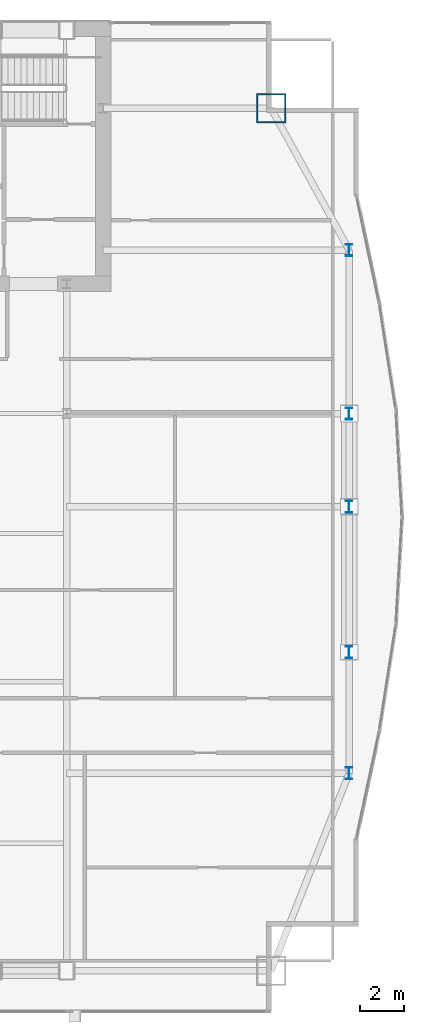
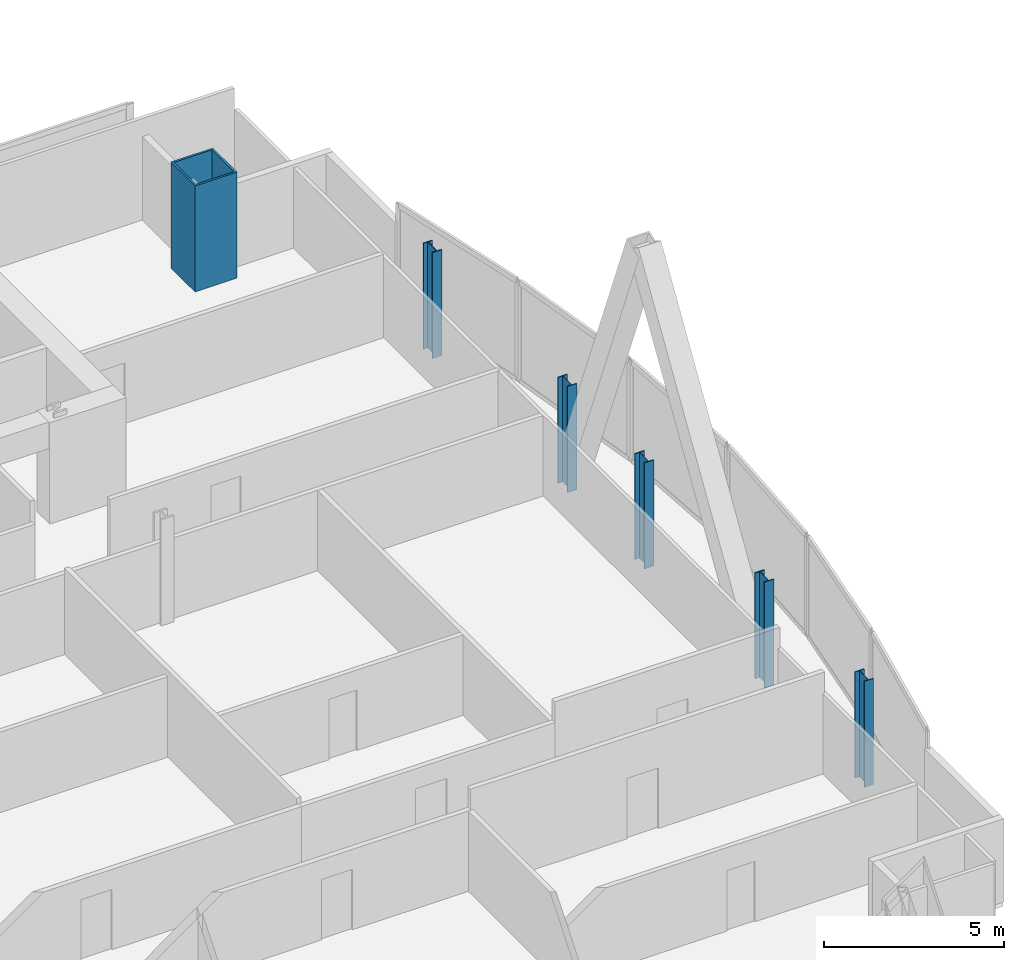
# One storey, part 4 of 30: 6 columns.
"""IFC4 building model written with IfcOpenShell, lengths in metres."""

from ifc_helpers import new_model, si_unit, direction, frame, origin, origin_2d, place, context, subcontext, project, spatial, hollow_rectangle, i_section, extrude, material, material_profile, profile_set, type_object, element, save


model = new_model("IFC4")

# Units and contexts
model_context = context("Model", 3, precision=1e-05, world=origin(), true_north=direction((0.0, 1.0)))
body_context = subcontext(model_context, "Body", "Model", "MODEL_VIEW")
ifc_project = project(units=[si_unit("LENGTHUNIT", "METRE"), si_unit("AREAUNIT", "SQUARE_METRE"), si_unit("VOLUMEUNIT", "CUBIC_METRE"), si_unit("PLANEANGLEUNIT", "RADIAN"), si_unit("MASSUNIT", "GRAM", prefix="KILO")], contexts=[model_context])

# Site, building, storey
site_placement = place(None, origin())
site = spatial("IfcSite", under=ifc_project, at=site_placement, CompositionType="ELEMENT")
building_placement = place(site_placement, origin())
building = spatial("IfcBuilding", under=site, at=building_placement, Name="Khoronbel Lancet Exchange", CompositionType="ELEMENT")
storey_placement = place(building_placement, frame((0.0, 0.0, 157.800048828125)))
storey = spatial("IfcBuildingStorey", under=building, at=storey_placement, Name="L39", CompositionType="ELEMENT", Elevation=157.800048828125)

# Columns
ifc_material_1 = material(Name="Steel S355", Category="steel")
ifc_material_profile_1 = material_profile(ifc_material_1, i_section(OverallWidth=0.300048828125, OverallDepth=0.550048828125, WebThickness=0.014892578125, FlangeThickness=0.029052734375, at=origin_2d()), Name="HEB 550")
ifc_profile_set_1 = profile_set([ifc_material_profile_1], Name="Steel S355")
column_type_1 = type_object("IfcColumnType", Name="COL-LC1", PredefinedType="COLUMN", material=ifc_profile_set_1)
for number, where, z_axis, x_axis, name in (
    (1, (67.6298828125, 19.199951171875, 0.0), (0.0, 0.0, 1.0), (1.0, 0.0, 0.0), "Structural column EC-1 L39"),
    (2, (67.6298828125, 24.75, 0.0), (0.0, 0.0, 1.0), (1.0, 0.0, 0.0), "Structural column EC-2 L39"),
    (3, (67.6298828125, 31.425048828125, 0.0), (0.0, 0.0, 1.0), (1.0, 0.0, 0.0), "Structural column EC-M L39"),
    (4, (67.6298828125, 35.699951171875, 0.0), (0.0, 0.0, 1.0), (1.0, 0.0, 0.0), "Structural column EC-3 L39"),
    (5, (67.6298828125, 43.199951171875, 0.0), (0.0, 0.0, 1.0), (1.0, 0.0, 0.0), "Structural column EC-4 L39"),
):
    element("IfcColumn", number, at=place(storey_placement, frame(where, z_axis=z_axis, x_axis=x_axis)), inside=storey, type_object=column_type_1, Name=name, PredefinedType="COLUMN", context=body_context, shape_type="SweptSolid", body=[
        extrude(i_section(OverallWidth=0.300048828125, OverallDepth=0.550048828125, WebThickness=0.014892578125, FlangeThickness=0.029052734375, at=origin_2d()), origin(), (0.0, 0.0, 1.0), 3.599853515625),
    ])
ifc_material_2 = material(Name="Steel S460", Category="steel")
ifc_material_profile_2 = material_profile(ifc_material_2, hollow_rectangle(XDim=1.35009765625, YDim=1.35009765625, WallThickness=0.06494140625, at=origin_2d()), Name="BOX 1350x1350x65")
ifc_profile_set_2 = profile_set([ifc_material_profile_2], Name="Steel S460")
column_type_2 = type_object("IfcColumnType", Name="COL-MC4", PredefinedType="COLUMN", material=ifc_profile_set_2)
column_placement = place(storey_placement, frame((64.050048828125, 49.699951171875, 0.0), z_axis=(0.0, 0.0, 1.0), x_axis=(1.0, 0.0, 0.0)))
element("IfcColumn", 6, at=column_placement, inside=storey, type_object=column_type_2, Name="Structural column MC-NE L39", PredefinedType="COLUMN", context=body_context, shape_type="SweptSolid", body=[
    extrude(hollow_rectangle(XDim=1.35009765625, YDim=1.35009765625, WallThickness=0.06494140625, at=origin_2d()), origin(), (0.0, 0.0, 1.0), 3.599853515625),
])

save(model, "model.ifc")
